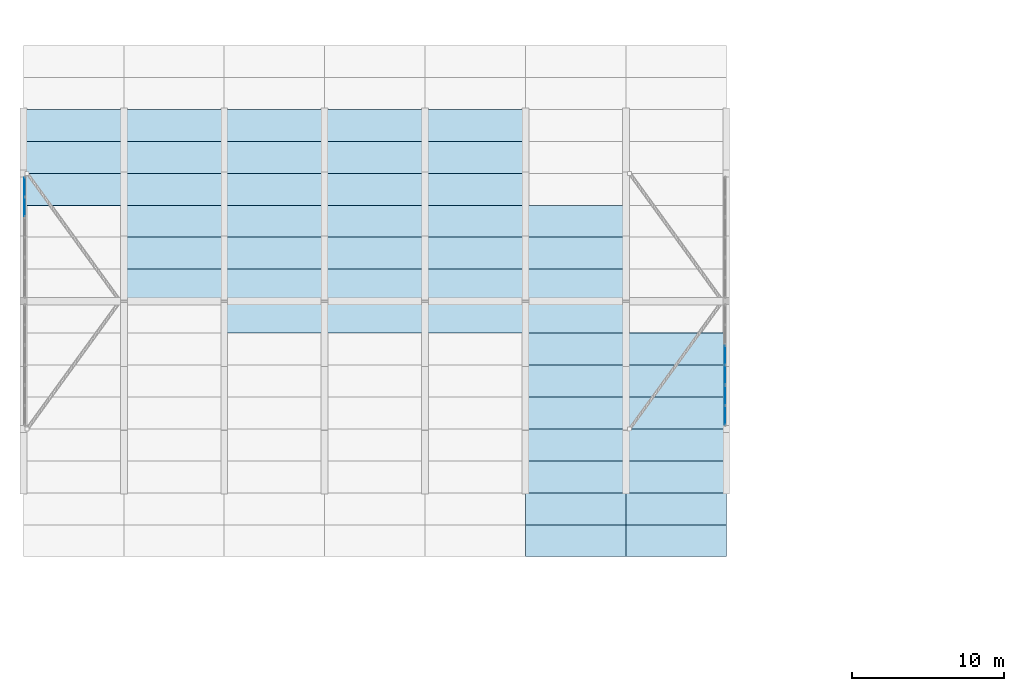
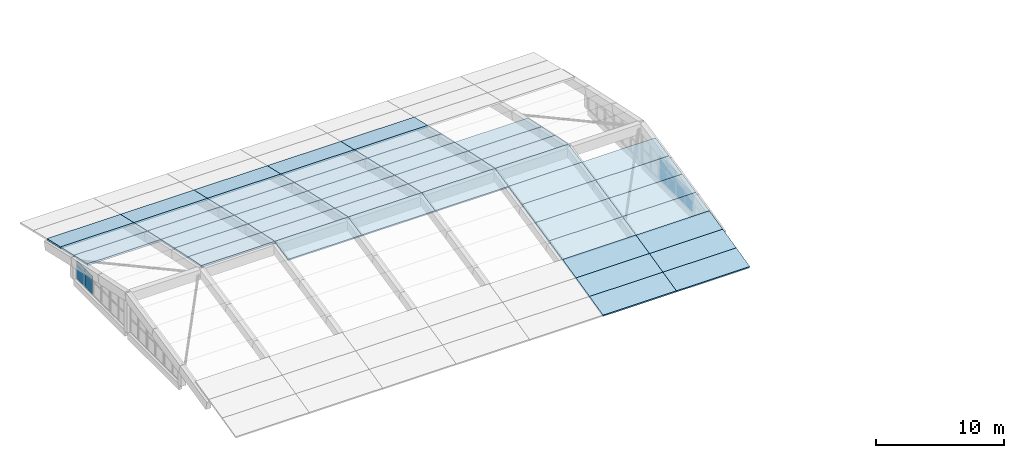
# One storey, part 26 of 47: 48 slabs, 12 plates, 3 elements without a shape of their own.
"""IFC4 building model written with IfcOpenShell, lengths in metres."""

from ifc_helpers import new_model, si_unit, direction, frame, origin, origin_2d, place, context, subcontext, project, spatial, polyline, rectangle, outline, extrude, material, layer, layer_set, type_object, element, aggregate, save


model = new_model("IFC4")

# Units and contexts
model_context = context("Model", 3, precision=1e-05, world=origin(), true_north=direction((0.0, 1.0)))
body_context = subcontext(model_context, "Body", "Model", "MODEL_VIEW")
ifc_project = project(units=[si_unit("LENGTHUNIT", "METRE"), si_unit("AREAUNIT", "SQUARE_METRE"), si_unit("VOLUMEUNIT", "CUBIC_METRE"), si_unit("PLANEANGLEUNIT", "RADIAN"), si_unit("MASSUNIT", "GRAM", prefix="KILO")], contexts=[model_context])

# Site, building, storey
site_placement = place(None, origin())
site = spatial("IfcSite", under=ifc_project, at=site_placement, CompositionType="ELEMENT")
building_placement = place(site_placement, origin())
building = spatial("IfcBuilding", under=site, at=building_placement, Name="Qaldarim Faculty of Natural and Applied Sciences", CompositionType="ELEMENT")
storey_placement = place(building_placement, frame((0.0, 0.0, 22.800048828125)))
storey = spatial("IfcBuildingStorey", under=building, at=storey_placement, Name="L05", CompositionType="ELEMENT", Elevation=22.800048828125)

# Curtain wall, plates
ifc_material_1 = material(Name="Anodised aluminium AW-6063", Category="aluminium")
curtain_wall_type = type_object("IfcCurtainWallType", Name="CurtainWallSystem-M1500", PredefinedType="USERDEFINED", material=ifc_material_1)
curtain_wall_1_placement = place(storey_placement, origin())
curtain_wall_1 = element("IfcCurtainWall", 1, at=curtain_wall_1_placement, inside=storey, type_object=curtain_wall_type, Name="Curtain wall CW-GABLE-L05-W-Y07-3", ObjectType="STICK CURTAIN WALL", PredefinedType="USERDEFINED")
ifc_material_2 = material(Name="Champagne anodised aluminium AW-6063", Category="aluminium")
ifc_layer_1 = layer(ifc_material_2, 0.0400390625)
ifc_layer_set_1 = layer_set([ifc_layer_1], Name="Champagne anodised aluminium AW-6063")
plate_type = type_object("IfcPlateType", Name="InsulatedSpandrelPanel-40", PredefinedType="CURTAIN_PANEL", material=ifc_layer_set_1)
plate_1_placement = place(storey_placement, frame((0.080078125, 57.896240234375, 0.06005859375), z_axis=(0.0, 0.0, 1.0), x_axis=(0.0, -1.0, 0.0)))
plate_1 = element("IfcPlate", 2, at=plate_1_placement, type_object=plate_type, Name="Glazed panel 1-1 of CW-GABLE-L05-W-Y07-3", PredefinedType="CURTAIN_PANEL", context=body_context, shape_type="SweptSolid", body=[
    extrude(rectangle(XDim=1.2275390625, YDim=0.0400390625, at=origin_2d()), origin(), (0.0, 0.0, 1.0), 1.260009765625),
])
plate_2_placement = place(storey_placement, frame((0.080078125, 57.896240234375, 1.3798828125), z_axis=(0.0, 0.0, 1.0), x_axis=(0.0, -1.0, 0.0)))
plate_2 = element("IfcPlate", 3, at=plate_2_placement, type_object=plate_type, Name="Glazed panel 1-2 of CW-GABLE-L05-W-Y07-3", PredefinedType="CURTAIN_PANEL", context=body_context, shape_type="SweptSolid", body=[
    extrude(rectangle(XDim=1.2275390625, YDim=0.0400390625, at=origin_2d()), origin(), (0.0, 0.0, 1.0), 0.389892578125),
])
plate_3_placement = place(storey_placement, frame((0.080078125, 56.60888671875, 0.06005859375), z_axis=(0.0, 0.0, 1.0), x_axis=(0.0, -1.0, 0.0)))
plate_3 = element("IfcPlate", 4, at=plate_3_placement, type_object=plate_type, Name="Glazed panel 2-1 of CW-GABLE-L05-W-Y07-3", PredefinedType="CURTAIN_PANEL", context=body_context, shape_type="SweptSolid", body=[
    extrude(rectangle(XDim=1.2275390625, YDim=0.0400390625, at=origin_2d()), origin(), (0.0, 0.0, 1.0), 1.260009765625),
])
plate_4_placement = place(storey_placement, frame((0.080078125, 56.60888671875, 1.3798828125), z_axis=(0.0, 0.0, 1.0), x_axis=(0.0, -1.0, 0.0)))
plate_4 = element("IfcPlate", 5, at=plate_4_placement, type_object=plate_type, Name="Glazed panel 2-2 of CW-GABLE-L05-W-Y07-3", PredefinedType="CURTAIN_PANEL", context=body_context, shape_type="SweptSolid", body=[
    extrude(rectangle(XDim=1.2275390625, YDim=0.0400390625, at=origin_2d()), origin(), (0.0, 0.0, 1.0), 0.389892578125),
])
aggregate(curtain_wall_1, [plate_1, plate_2, plate_3, plate_4])

curtain_wall_2_placement = place(storey_placement, origin())
curtain_wall_2 = element("IfcCurtainWall", 6, at=curtain_wall_2_placement, inside=storey, type_object=curtain_wall_type, Name="Curtain wall CW-GABLE-L05-E-Y06-1", ObjectType="STICK CURTAIN WALL", PredefinedType="USERDEFINED")
plate_5_placement = place(storey_placement, frame((46.1201171875, 42.90380859375, 0.06005859375), z_axis=(0.0, 0.0, 1.0), x_axis=(0.0, 1.0, 0.0)))
plate_5 = element("IfcPlate", 7, at=plate_5_placement, type_object=plate_type, Name="Glazed panel 1-1 of CW-GABLE-L05-E-Y06-1", PredefinedType="CURTAIN_PANEL", context=body_context, shape_type="SweptSolid", body=[
    extrude(rectangle(XDim=1.2275390625, YDim=0.0400390625, at=origin_2d()), origin(), (0.0, 0.0, 1.0), 1.260009765625),
])
plate_6_placement = place(storey_placement, frame((46.1201171875, 42.90380859375, 1.3798828125), z_axis=(0.0, 0.0, 1.0), x_axis=(0.0, 1.0, 0.0)))
plate_6 = element("IfcPlate", 8, at=plate_6_placement, type_object=plate_type, Name="Glazed panel 1-2 of CW-GABLE-L05-E-Y06-1", PredefinedType="CURTAIN_PANEL", context=body_context, shape_type="SweptSolid", body=[
    extrude(rectangle(XDim=1.2275390625, YDim=0.0400390625, at=origin_2d()), origin(), (0.0, 0.0, 1.0), 0.389892578125),
])
plate_7_placement = place(storey_placement, frame((46.1201171875, 44.19140625, 0.06005859375), z_axis=(0.0, 0.0, 1.0), x_axis=(0.0, 1.0, 0.0)))
plate_7 = element("IfcPlate", 9, at=plate_7_placement, type_object=plate_type, Name="Glazed panel 2-1 of CW-GABLE-L05-E-Y06-1", PredefinedType="CURTAIN_PANEL", context=body_context, shape_type="SweptSolid", body=[
    extrude(rectangle(XDim=1.2275390625, YDim=0.0400390625, at=origin_2d()), origin(), (0.0, 0.0, 1.0), 1.260009765625),
])
plate_8_placement = place(storey_placement, frame((46.1201171875, 44.19140625, 1.3798828125), z_axis=(0.0, 0.0, 1.0), x_axis=(0.0, 1.0, 0.0)))
plate_8 = element("IfcPlate", 10, at=plate_8_placement, type_object=plate_type, Name="Glazed panel 2-2 of CW-GABLE-L05-E-Y06-1", PredefinedType="CURTAIN_PANEL", context=body_context, shape_type="SweptSolid", body=[
    extrude(rectangle(XDim=1.2275390625, YDim=0.0400390625, at=origin_2d()), origin(), (0.0, 0.0, 1.0), 0.389892578125),
])
aggregate(curtain_wall_2, [plate_5, plate_6, plate_7, plate_8])

curtain_wall_3_placement = place(storey_placement, origin())
curtain_wall_3 = element("IfcCurtainWall", 11, at=curtain_wall_3_placement, inside=storey, type_object=curtain_wall_type, Name="Curtain wall CW-GABLE-L05-E-Y06-2", ObjectType="STICK CURTAIN WALL", PredefinedType="USERDEFINED")
plate_9_placement = place(storey_placement, frame((46.1201171875, 45.55859375, 0.06005859375), z_axis=(0.0, 0.0, 1.0), x_axis=(0.0, 1.0, 0.0)))
plate_9 = element("IfcPlate", 12, at=plate_9_placement, type_object=plate_type, Name="Glazed panel 1-1 of CW-GABLE-L05-E-Y06-2", PredefinedType="CURTAIN_PANEL", context=body_context, shape_type="SweptSolid", body=[
    extrude(rectangle(XDim=1.2275390625, YDim=0.0400390625, at=origin_2d()), origin(), (0.0, 0.0, 1.0), 1.260009765625),
])
plate_10_placement = place(storey_placement, frame((46.1201171875, 45.55859375, 1.3798828125), z_axis=(0.0, 0.0, 1.0), x_axis=(0.0, 1.0, 0.0)))
plate_10 = element("IfcPlate", 13, at=plate_10_placement, type_object=plate_type, Name="Glazed panel 1-2 of CW-GABLE-L05-E-Y06-2", PredefinedType="CURTAIN_PANEL", context=body_context, shape_type="SweptSolid", body=[
    extrude(rectangle(XDim=1.2275390625, YDim=0.0400390625, at=origin_2d()), origin(), (0.0, 0.0, 1.0), 0.9599609375),
])
plate_11_placement = place(storey_placement, frame((46.1201171875, 46.84619140625, 0.06005859375), z_axis=(0.0, 0.0, 1.0), x_axis=(0.0, 1.0, 0.0)))
plate_11 = element("IfcPlate", 14, at=plate_11_placement, type_object=plate_type, Name="Glazed panel 2-1 of CW-GABLE-L05-E-Y06-2", PredefinedType="CURTAIN_PANEL", context=body_context, shape_type="SweptSolid", body=[
    extrude(rectangle(XDim=1.2275390625, YDim=0.0400390625, at=origin_2d()), origin(), (0.0, 0.0, 1.0), 1.260009765625),
])
plate_12_placement = place(storey_placement, frame((46.1201171875, 46.84619140625, 1.3798828125), z_axis=(0.0, 0.0, 1.0), x_axis=(0.0, 1.0, 0.0)))
plate_12 = element("IfcPlate", 15, at=plate_12_placement, type_object=plate_type, Name="Glazed panel 2-2 of CW-GABLE-L05-E-Y06-2", PredefinedType="CURTAIN_PANEL", context=body_context, shape_type="SweptSolid", body=[
    extrude(rectangle(XDim=1.2275390625, YDim=0.0400390625, at=origin_2d()), origin(), (0.0, 0.0, 1.0), 0.9599609375),
])
aggregate(curtain_wall_3, [plate_9, plate_10, plate_11, plate_12])

# Slabs
ifc_material_3 = material(Name="Concrete C40/50", Category="concrete")
ifc_layer_2 = layer(ifc_material_3, 0.159912109375)
ifc_layer_set_2 = layer_set([ifc_layer_2], Name="Concrete C40/50")
slab_type = type_object("IfcSlabType", Name="PointedArchShellStrip-160", PredefinedType="ROOF", material=ifc_layer_set_2)
slab_1_placement = place(storey_placement, frame((0.0, 56.665283203125, 2.40869140625), z_axis=(0.0, 0.216221346803, 0.976344370182), x_axis=(1.0, 0.0, 0.0)))
element("IfcSlab", 16, at=slab_1_placement, inside=storey, type_object=slab_type, Name="Pointed-arch shell strip B01-N04", PredefinedType="ROOF", context=body_context, shape_type="SweptSolid", body=[
    extrude(outline(polyline([(0.0, 0.0), (6.60009765625, 0.0), (6.60009765625, 2.1509804536054613), (0.0, 2.1509804536054613), (0.0, 0.0)])), origin(), (0.0, 0.0, 1.0), 0.159912109375),
])
slab_2_placement = place(storey_placement, frame((0.0, 58.7646484375, 1.94384765625), z_axis=(0.0, 0.220567158628, 0.975371789901), x_axis=(1.0, 0.0, 0.0)))
element("IfcSlab", 17, at=slab_2_placement, inside=storey, type_object=slab_type, Name="Pointed-arch shell strip B01-N05", PredefinedType="ROOF", context=body_context, shape_type="SweptSolid", body=[
    extrude(outline(polyline([(0.0, 0.0), (6.60009765625, 0.0), (6.60009765625, 2.152874972771084), (0.0, 2.152874972771084), (0.0, 0.0)])), origin(), (0.0, 0.0, 1.0), 0.159912109375),
])
slab_3_placement = place(storey_placement, frame((0.0, 60.864013671875, 1.468994140625), z_axis=(0.0, 0.225066313755, 0.974343447873), x_axis=(1.0, 0.0, 0.0)))
element("IfcSlab", 18, at=slab_3_placement, inside=storey, type_object=slab_type, Name="Pointed-arch shell strip B01-N06", PredefinedType="ROOF", context=body_context, shape_type="SweptSolid", body=[
    extrude(outline(polyline([(0.0, 0.0), (6.60009765625, 0.0), (6.60009765625, 2.155397730476896), (0.0, 2.155397730476896), (0.0, 0.0)])), origin(), (0.0, 0.0, 1.0), 0.159912109375),
])
slab_4_placement = place(storey_placement, frame((6.60009765625, 50.367431640625, 3.7431640625), z_axis=(0.0, 0.202854035669, 0.979208986995), x_axis=(1.0, 0.0, 0.0)))
element("IfcSlab", 19, at=slab_4_placement, inside=storey, type_object=slab_type, Name="Pointed-arch shell strip B02-N01", PredefinedType="ROOF", context=body_context, shape_type="SweptSolid", body=[
    extrude(outline(polyline([(0.0, 0.0), (6.599853515625, 0.0), (6.599853515625, 2.144687890062904), (0.0, 2.144687890062904), (0.0, 0.0)])), origin(), (0.0, 0.0, 1.0), 0.159912109375),
])
slab_5_placement = place(storey_placement, frame((6.60009765625, 52.466796875, 3.308349609375), z_axis=(0.0, 0.207213980764, 0.978295643543), x_axis=(1.0, 0.0, 0.0)))
element("IfcSlab", 20, at=slab_5_placement, inside=storey, type_object=slab_type, Name="Pointed-arch shell strip B02-N02", PredefinedType="ROOF", context=body_context, shape_type="SweptSolid", body=[
    extrude(outline(polyline([(0.0, 0.0), (6.599853515625, 0.0), (6.599853515625, 2.1466901852324414), (0.0, 2.1466901852324414), (0.0, 0.0)])), origin(), (0.0, 0.0, 1.0), 0.159912109375),
])
slab_6_placement = place(storey_placement, frame((6.60009765625, 54.566162109375, 2.86376953125), z_axis=(0.0, 0.211802186489, 0.977312556861), x_axis=(1.0, 0.0, 0.0)))
element("IfcSlab", 21, at=slab_6_placement, inside=storey, type_object=slab_type, Name="Pointed-arch shell strip B02-N03", PredefinedType="ROOF", context=body_context, shape_type="SweptSolid", body=[
    extrude(outline(polyline([(0.0, 0.0), (6.599853515625, 0.0), (6.599853515625, 2.1485997502876586), (0.0, 2.1485997502876586), (0.0, 0.0)])), origin(), (0.0, 0.0, 1.0), 0.159912109375),
])
slab_7_placement = place(storey_placement, frame((6.60009765625, 56.665283203125, 2.40869140625), z_axis=(0.0, 0.216221346803, 0.976344370182), x_axis=(1.0, 0.0, 0.0)))
element("IfcSlab", 22, at=slab_7_placement, inside=storey, type_object=slab_type, Name="Pointed-arch shell strip B02-N04", PredefinedType="ROOF", context=body_context, shape_type="SweptSolid", body=[
    extrude(outline(polyline([(0.0, 0.0), (6.599853515625, 0.0), (6.599853515625, 2.1509804536054613), (0.0, 2.1509804536054613), (0.0, 0.0)])), origin(), (0.0, 0.0, 1.0), 0.159912109375),
])
slab_8_placement = place(storey_placement, frame((6.60009765625, 58.7646484375, 1.94384765625), z_axis=(0.0, 0.220567158628, 0.975371789901), x_axis=(1.0, 0.0, 0.0)))
element("IfcSlab", 23, at=slab_8_placement, inside=storey, type_object=slab_type, Name="Pointed-arch shell strip B02-N05", PredefinedType="ROOF", context=body_context, shape_type="SweptSolid", body=[
    extrude(outline(polyline([(0.0, 0.0), (6.599853515625, 0.0), (6.599853515625, 2.152874972771084), (0.0, 2.152874972771084), (0.0, 0.0)])), origin(), (0.0, 0.0, 1.0), 0.159912109375),
])
slab_9_placement = place(storey_placement, frame((6.60009765625, 60.864013671875, 1.468994140625), z_axis=(0.0, 0.225066313755, 0.974343447873), x_axis=(1.0, 0.0, 0.0)))
element("IfcSlab", 24, at=slab_9_placement, inside=storey, type_object=slab_type, Name="Pointed-arch shell strip B02-N06", PredefinedType="ROOF", context=body_context, shape_type="SweptSolid", body=[
    extrude(outline(polyline([(0.0, 0.0), (6.599853515625, 0.0), (6.599853515625, 2.155397730476896), (0.0, 2.155397730476896), (0.0, 0.0)])), origin(), (0.0, 0.0, 1.0), 0.159912109375),
])
slab_10_placement = place(storey_placement, frame((13.199951171875, 48.33251953125, 3.30810546875), z_axis=(0.0, -0.202876649929, 0.979204301928), x_axis=(1.0, 0.0, 0.0)))
element("IfcSlab", 25, at=slab_10_placement, inside=storey, type_object=slab_type, Name="Pointed-arch shell strip B03-S01", PredefinedType="ROOF", context=body_context, shape_type="SweptSolid", body=[
    extrude(outline(polyline([(0.0, 0.0), (6.60009765625, 0.0), (6.60009765625, 2.144448825940689), (0.0, 2.144448825940689), (0.0, 0.0)])), origin(), (0.0, 0.0, 1.0), 0.159912109375),
])
slab_11_placement = place(storey_placement, frame((13.199951171875, 50.367431640625, 3.7431640625), z_axis=(0.0, 0.202854035669, 0.979208986995), x_axis=(1.0, 0.0, 0.0)))
element("IfcSlab", 26, at=slab_11_placement, inside=storey, type_object=slab_type, Name="Pointed-arch shell strip B03-N01", PredefinedType="ROOF", context=body_context, shape_type="SweptSolid", body=[
    extrude(outline(polyline([(0.0, 0.0), (6.60009765625, 0.0), (6.60009765625, 2.144687890062904), (0.0, 2.144687890062904), (0.0, 0.0)])), origin(), (0.0, 0.0, 1.0), 0.159912109375),
])
slab_12_placement = place(storey_placement, frame((13.199951171875, 52.466796875, 3.308349609375), z_axis=(0.0, 0.207213980764, 0.978295643543), x_axis=(1.0, 0.0, 0.0)))
element("IfcSlab", 27, at=slab_12_placement, inside=storey, type_object=slab_type, Name="Pointed-arch shell strip B03-N02", PredefinedType="ROOF", context=body_context, shape_type="SweptSolid", body=[
    extrude(outline(polyline([(0.0, 0.0), (6.60009765625, 0.0), (6.60009765625, 2.146690185232441), (0.0, 2.146690185232441), (0.0, 0.0)])), origin(), (0.0, 0.0, 1.0), 0.159912109375),
])
slab_13_placement = place(storey_placement, frame((13.199951171875, 54.566162109375, 2.86376953125), z_axis=(0.0, 0.211802186489, 0.977312556861), x_axis=(1.0, 0.0, 0.0)))
element("IfcSlab", 28, at=slab_13_placement, inside=storey, type_object=slab_type, Name="Pointed-arch shell strip B03-N03", PredefinedType="ROOF", context=body_context, shape_type="SweptSolid", body=[
    extrude(outline(polyline([(0.0, 0.0), (6.60009765625, 0.0), (6.60009765625, 2.148599750287658), (0.0, 2.148599750287658), (0.0, 0.0)])), origin(), (0.0, 0.0, 1.0), 0.159912109375),
])
slab_14_placement = place(storey_placement, frame((13.199951171875, 56.665283203125, 2.40869140625), z_axis=(0.0, 0.216221346803, 0.976344370182), x_axis=(1.0, 0.0, 0.0)))
element("IfcSlab", 29, at=slab_14_placement, inside=storey, type_object=slab_type, Name="Pointed-arch shell strip B03-N04", PredefinedType="ROOF", context=body_context, shape_type="SweptSolid", body=[
    extrude(outline(polyline([(0.0, 0.0), (6.60009765625, 0.0), (6.60009765625, 2.1509804536054613), (0.0, 2.1509804536054613), (0.0, 0.0)])), origin(), (0.0, 0.0, 1.0), 0.159912109375),
])
slab_15_placement = place(storey_placement, frame((13.199951171875, 58.7646484375, 1.94384765625), z_axis=(0.0, 0.220567158628, 0.975371789901), x_axis=(1.0, 0.0, 0.0)))
element("IfcSlab", 30, at=slab_15_placement, inside=storey, type_object=slab_type, Name="Pointed-arch shell strip B03-N05", PredefinedType="ROOF", context=body_context, shape_type="SweptSolid", body=[
    extrude(outline(polyline([(0.0, 0.0), (6.60009765625, 0.0), (6.60009765625, 2.152874972771084), (0.0, 2.152874972771084), (0.0, 0.0)])), origin(), (0.0, 0.0, 1.0), 0.159912109375),
])
slab_16_placement = place(storey_placement, frame((13.199951171875, 60.864013671875, 1.468994140625), z_axis=(0.0, 0.225066313755, 0.974343447873), x_axis=(1.0, 0.0, 0.0)))
element("IfcSlab", 31, at=slab_16_placement, inside=storey, type_object=slab_type, Name="Pointed-arch shell strip B03-N06", PredefinedType="ROOF", context=body_context, shape_type="SweptSolid", body=[
    extrude(outline(polyline([(0.0, 0.0), (6.60009765625, 0.0), (6.60009765625, 2.155397730476896), (0.0, 2.155397730476896), (0.0, 0.0)])), origin(), (0.0, 0.0, 1.0), 0.159912109375),
])
slab_17_placement = place(storey_placement, frame((19.800048828125, 48.33251953125, 3.30810546875), z_axis=(0.0, -0.202876649929, 0.979204301928), x_axis=(1.0, 0.0, 0.0)))
element("IfcSlab", 32, at=slab_17_placement, inside=storey, type_object=slab_type, Name="Pointed-arch shell strip B04-S01", PredefinedType="ROOF", context=body_context, shape_type="SweptSolid", body=[
    extrude(outline(polyline([(0.0, 0.0), (6.599853515625, 0.0), (6.599853515625, 2.1444488259406893), (0.0, 2.1444488259406893), (0.0, 0.0)])), origin(), (0.0, 0.0, 1.0), 0.159912109375),
])
slab_18_placement = place(storey_placement, frame((19.800048828125, 50.367431640625, 3.7431640625), z_axis=(0.0, 0.202854035669, 0.979208986995), x_axis=(1.0, 0.0, 0.0)))
element("IfcSlab", 33, at=slab_18_placement, inside=storey, type_object=slab_type, Name="Pointed-arch shell strip B04-N01", PredefinedType="ROOF", context=body_context, shape_type="SweptSolid", body=[
    extrude(outline(polyline([(0.0, 0.0), (6.599853515625, 0.0), (6.599853515625, 2.144687890062904), (0.0, 2.144687890062904), (0.0, 0.0)])), origin(), (0.0, 0.0, 1.0), 0.159912109375),
])
slab_19_placement = place(storey_placement, frame((19.800048828125, 52.466796875, 3.308349609375), z_axis=(0.0, 0.207213980764, 0.978295643543), x_axis=(1.0, 0.0, 0.0)))
element("IfcSlab", 34, at=slab_19_placement, inside=storey, type_object=slab_type, Name="Pointed-arch shell strip B04-N02", PredefinedType="ROOF", context=body_context, shape_type="SweptSolid", body=[
    extrude(outline(polyline([(0.0, 0.0), (6.599853515625, 0.0), (6.599853515625, 2.1466901852324414), (0.0, 2.1466901852324414), (0.0, 0.0)])), origin(), (0.0, 0.0, 1.0), 0.159912109375),
])
slab_20_placement = place(storey_placement, frame((19.800048828125, 54.566162109375, 2.86376953125), z_axis=(0.0, 0.211802186489, 0.977312556861), x_axis=(1.0, 0.0, 0.0)))
element("IfcSlab", 35, at=slab_20_placement, inside=storey, type_object=slab_type, Name="Pointed-arch shell strip B04-N03", PredefinedType="ROOF", context=body_context, shape_type="SweptSolid", body=[
    extrude(outline(polyline([(0.0, 0.0), (6.599853515625, 0.0), (6.599853515625, 2.1485997502876586), (0.0, 2.1485997502876586), (0.0, 0.0)])), origin(), (0.0, 0.0, 1.0), 0.159912109375),
])
slab_21_placement = place(storey_placement, frame((19.800048828125, 56.665283203125, 2.40869140625), z_axis=(0.0, 0.216221346803, 0.976344370182), x_axis=(1.0, 0.0, 0.0)))
element("IfcSlab", 36, at=slab_21_placement, inside=storey, type_object=slab_type, Name="Pointed-arch shell strip B04-N04", PredefinedType="ROOF", context=body_context, shape_type="SweptSolid", body=[
    extrude(outline(polyline([(0.0, 0.0), (6.599853515625, 0.0), (6.599853515625, 2.1509804536054613), (0.0, 2.1509804536054613), (0.0, 0.0)])), origin(), (0.0, 0.0, 1.0), 0.159912109375),
])
slab_22_placement = place(storey_placement, frame((19.800048828125, 58.7646484375, 1.94384765625), z_axis=(0.0, 0.220567158628, 0.975371789901), x_axis=(1.0, 0.0, 0.0)))
element("IfcSlab", 37, at=slab_22_placement, inside=storey, type_object=slab_type, Name="Pointed-arch shell strip B04-N05", PredefinedType="ROOF", context=body_context, shape_type="SweptSolid", body=[
    extrude(outline(polyline([(0.0, 0.0), (6.599853515625, 0.0), (6.599853515625, 2.152874972771084), (0.0, 2.152874972771084), (0.0, 0.0)])), origin(), (0.0, 0.0, 1.0), 0.159912109375),
])
slab_23_placement = place(storey_placement, frame((19.800048828125, 60.864013671875, 1.468994140625), z_axis=(0.0, 0.225066313755, 0.974343447873), x_axis=(1.0, 0.0, 0.0)))
element("IfcSlab", 38, at=slab_23_placement, inside=storey, type_object=slab_type, Name="Pointed-arch shell strip B04-N06", PredefinedType="ROOF", context=body_context, shape_type="SweptSolid", body=[
    extrude(outline(polyline([(0.0, 0.0), (6.599853515625, 0.0), (6.599853515625, 2.155397730476896), (0.0, 2.155397730476896), (0.0, 0.0)])), origin(), (0.0, 0.0, 1.0), 0.159912109375),
])
slab_24_placement = place(storey_placement, frame((26.39990234375, 48.33251953125, 3.30810546875), z_axis=(0.0, -0.202876649929, 0.979204301928), x_axis=(1.0, 0.0, 0.0)))
element("IfcSlab", 39, at=slab_24_placement, inside=storey, type_object=slab_type, Name="Pointed-arch shell strip B05-S01", PredefinedType="ROOF", context=body_context, shape_type="SweptSolid", body=[
    extrude(outline(polyline([(0.0, 0.0), (6.60009765625, 0.0), (6.60009765625, 2.144448825940689), (0.0, 2.144448825940689), (0.0, 0.0)])), origin(), (0.0, 0.0, 1.0), 0.159912109375),
])
slab_25_placement = place(storey_placement, frame((26.39990234375, 50.367431640625, 3.7431640625), z_axis=(0.0, 0.202854035669, 0.979208986995), x_axis=(1.0, 0.0, 0.0)))
element("IfcSlab", 40, at=slab_25_placement, inside=storey, type_object=slab_type, Name="Pointed-arch shell strip B05-N01", PredefinedType="ROOF", context=body_context, shape_type="SweptSolid", body=[
    extrude(outline(polyline([(0.0, 0.0), (6.60009765625, 0.0), (6.60009765625, 2.144687890062904), (0.0, 2.144687890062904), (0.0, 0.0)])), origin(), (0.0, 0.0, 1.0), 0.159912109375),
])
slab_26_placement = place(storey_placement, frame((26.39990234375, 52.466796875, 3.308349609375), z_axis=(0.0, 0.207213980764, 0.978295643543), x_axis=(1.0, 0.0, 0.0)))
element("IfcSlab", 41, at=slab_26_placement, inside=storey, type_object=slab_type, Name="Pointed-arch shell strip B05-N02", PredefinedType="ROOF", context=body_context, shape_type="SweptSolid", body=[
    extrude(outline(polyline([(0.0, 0.0), (6.60009765625, 0.0), (6.60009765625, 2.146690185232441), (0.0, 2.146690185232441), (0.0, 0.0)])), origin(), (0.0, 0.0, 1.0), 0.159912109375),
])
slab_27_placement = place(storey_placement, frame((26.39990234375, 54.566162109375, 2.86376953125), z_axis=(0.0, 0.211802186489, 0.977312556861), x_axis=(1.0, 0.0, 0.0)))
element("IfcSlab", 42, at=slab_27_placement, inside=storey, type_object=slab_type, Name="Pointed-arch shell strip B05-N03", PredefinedType="ROOF", context=body_context, shape_type="SweptSolid", body=[
    extrude(outline(polyline([(0.0, 0.0), (6.60009765625, 0.0), (6.60009765625, 2.148599750287658), (0.0, 2.148599750287658), (0.0, 0.0)])), origin(), (0.0, 0.0, 1.0), 0.159912109375),
])
slab_28_placement = place(storey_placement, frame((26.39990234375, 56.665283203125, 2.40869140625), z_axis=(0.0, 0.216221346803, 0.976344370182), x_axis=(1.0, 0.0, 0.0)))
element("IfcSlab", 43, at=slab_28_placement, inside=storey, type_object=slab_type, Name="Pointed-arch shell strip B05-N04", PredefinedType="ROOF", context=body_context, shape_type="SweptSolid", body=[
    extrude(outline(polyline([(0.0, 0.0), (6.60009765625, 0.0), (6.60009765625, 2.1509804536054613), (0.0, 2.1509804536054613), (0.0, 0.0)])), origin(), (0.0, 0.0, 1.0), 0.159912109375),
])
slab_29_placement = place(storey_placement, frame((26.39990234375, 58.7646484375, 1.94384765625), z_axis=(0.0, 0.220567158628, 0.975371789901), x_axis=(1.0, 0.0, 0.0)))
element("IfcSlab", 44, at=slab_29_placement, inside=storey, type_object=slab_type, Name="Pointed-arch shell strip B05-N05", PredefinedType="ROOF", context=body_context, shape_type="SweptSolid", body=[
    extrude(outline(polyline([(0.0, 0.0), (6.60009765625, 0.0), (6.60009765625, 2.152874972771084), (0.0, 2.152874972771084), (0.0, 0.0)])), origin(), (0.0, 0.0, 1.0), 0.159912109375),
])
slab_30_placement = place(storey_placement, frame((26.39990234375, 60.864013671875, 1.468994140625), z_axis=(0.0, 0.225066313755, 0.974343447873), x_axis=(1.0, 0.0, 0.0)))
element("IfcSlab", 45, at=slab_30_placement, inside=storey, type_object=slab_type, Name="Pointed-arch shell strip B05-N06", PredefinedType="ROOF", context=body_context, shape_type="SweptSolid", body=[
    extrude(outline(polyline([(0.0, 0.0), (6.60009765625, 0.0), (6.60009765625, 2.155397730476896), (0.0, 2.155397730476896), (0.0, 0.0)])), origin(), (0.0, 0.0, 1.0), 0.159912109375),
])
slab_31_placement = place(storey_placement, frame((33.0, 48.33251953125, 3.30810546875), z_axis=(0.0, -0.202876649929, 0.979204301928), x_axis=(1.0, 0.0, 0.0)))
element("IfcSlab", 46, at=slab_31_placement, inside=storey, type_object=slab_type, Name="Pointed-arch shell strip B06-S01", PredefinedType="ROOF", context=body_context, shape_type="SweptSolid", body=[
    extrude(outline(polyline([(0.0, 0.0), (6.60009765625, 0.0), (6.60009765625, 2.144448825940689), (0.0, 2.144448825940689), (0.0, 0.0)])), origin(), (0.0, 0.0, 1.0), 0.159912109375),
])
slab_32_placement = place(storey_placement, frame((33.0, 46.233154296875, 2.863525390625), z_axis=(0.0, -0.207213980764, 0.978295643543), x_axis=(1.0, 0.0, 0.0)))
element("IfcSlab", 47, at=slab_32_placement, inside=storey, type_object=slab_type, Name="Pointed-arch shell strip B06-S02", PredefinedType="ROOF", context=body_context, shape_type="SweptSolid", body=[
    extrude(outline(polyline([(0.0, 0.0), (6.60009765625, 0.0), (6.60009765625, 2.146690185232441), (0.0, 2.146690185232441), (0.0, 0.0)])), origin(), (0.0, 0.0, 1.0), 0.159912109375),
])
slab_33_placement = place(storey_placement, frame((33.0, 44.134033203125, 2.40869140625), z_axis=(0.0, -0.211802186489, 0.977312556861), x_axis=(1.0, 0.0, 0.0)))
element("IfcSlab", 48, at=slab_33_placement, inside=storey, type_object=slab_type, Name="Pointed-arch shell strip B06-S03", PredefinedType="ROOF", context=body_context, shape_type="SweptSolid", body=[
    extrude(outline(polyline([(0.0, 0.0), (6.60009765625, 0.0), (6.60009765625, 2.148599750287658), (0.0, 2.148599750287658), (0.0, 0.0)])), origin(), (0.0, 0.0, 1.0), 0.159912109375),
])
slab_34_placement = place(storey_placement, frame((33.0, 42.03466796875, 1.943603515625), z_axis=(0.0, -0.216221346803, 0.976344370182), x_axis=(1.0, 0.0, 0.0)))
element("IfcSlab", 49, at=slab_34_placement, inside=storey, type_object=slab_type, Name="Pointed-arch shell strip B06-S04", PredefinedType="ROOF", context=body_context, shape_type="SweptSolid", body=[
    extrude(outline(polyline([(0.0, 0.0), (6.60009765625, 0.0), (6.60009765625, 2.1509804536054613), (0.0, 2.1509804536054613), (0.0, 0.0)])), origin(), (0.0, 0.0, 1.0), 0.159912109375),
])
slab_35_placement = place(storey_placement, frame((33.0, 39.935302734375, 1.468994140625), z_axis=(0.0, -0.22054276449, 0.975377305985), x_axis=(1.0, 0.0, 0.0)))
element("IfcSlab", 50, at=slab_35_placement, inside=storey, type_object=slab_type, Name="Pointed-arch shell strip B06-S05", PredefinedType="ROOF", context=body_context, shape_type="SweptSolid", body=[
    extrude(outline(polyline([(0.0, 0.0), (6.60009765625, 0.0), (6.60009765625, 2.153113101322865), (0.0, 2.153113101322865), (0.0, 0.0)])), origin(), (0.0, 0.0, 1.0), 0.159912109375),
])
slab_36_placement = place(storey_placement, frame((33.0, 37.836181640625, 0.98388671875), z_axis=(0.0, -0.225091155486, 0.974337709278), x_axis=(1.0, 0.0, 0.0)))
element("IfcSlab", 51, at=slab_36_placement, inside=storey, type_object=slab_type, Name="Pointed-arch shell strip B06-S06", PredefinedType="ROOF", context=body_context, shape_type="SweptSolid", body=[
    extrude(outline(polyline([(0.0, 0.0), (6.60009765625, 0.0), (6.60009765625, 2.1551598543590407), (0.0, 2.1551598543590407), (0.0, 0.0)])), origin(), (0.0, 0.0, 1.0), 0.159912109375),
])
slab_37_placement = place(storey_placement, frame((33.0, 35.736572265625, 0.4892578125), z_axis=(0.0, -0.229360972314, 0.973341432581), x_axis=(1.0, 0.0, 0.0)))
element("IfcSlab", 52, at=slab_37_placement, inside=storey, type_object=slab_type, Name="Pointed-arch shell strip B06-S07", PredefinedType="ROOF", context=body_context, shape_type="SweptSolid", body=[
    extrude(outline(polyline([(0.0, 0.0), (6.60009765625, 0.0), (6.60009765625, 2.1576166244979875), (0.0, 2.1576166244979875), (0.0, 0.0)])), origin(), (0.0, 0.0, 1.0), 0.159912109375),
])
slab_38_placement = place(storey_placement, frame((33.0, 33.637451171875, -0.015625), z_axis=(0.0, -0.233881690237, 0.972265064153), x_axis=(1.0, 0.0, 0.0)))
element("IfcSlab", 53, at=slab_38_placement, inside=storey, type_object=slab_type, Name="Pointed-arch shell strip B06-S08", PredefinedType="ROOF", context=body_context, shape_type="SweptSolid", body=[
    extrude(outline(polyline([(0.0, 0.0), (6.60009765625, 0.0), (6.60009765625, 2.159754158661587), (0.0, 2.159754158661587), (0.0, 0.0)])), origin(), (0.0, 0.0, 1.0), 0.159912109375),
])
slab_39_placement = place(storey_placement, frame((33.0, 50.367431640625, 3.7431640625), z_axis=(0.0, 0.202854035669, 0.979208986995), x_axis=(1.0, 0.0, 0.0)))
element("IfcSlab", 54, at=slab_39_placement, inside=storey, type_object=slab_type, Name="Pointed-arch shell strip B06-N01", PredefinedType="ROOF", context=body_context, shape_type="SweptSolid", body=[
    extrude(outline(polyline([(0.0, 0.0), (6.60009765625, 0.0), (6.60009765625, 2.144687890062904), (0.0, 2.144687890062904), (0.0, 0.0)])), origin(), (0.0, 0.0, 1.0), 0.159912109375),
])
slab_40_placement = place(storey_placement, frame((33.0, 52.466796875, 3.308349609375), z_axis=(0.0, 0.207213980764, 0.978295643543), x_axis=(1.0, 0.0, 0.0)))
element("IfcSlab", 55, at=slab_40_placement, inside=storey, type_object=slab_type, Name="Pointed-arch shell strip B06-N02", PredefinedType="ROOF", context=body_context, shape_type="SweptSolid", body=[
    extrude(outline(polyline([(0.0, 0.0), (6.60009765625, 0.0), (6.60009765625, 2.146690185232441), (0.0, 2.146690185232441), (0.0, 0.0)])), origin(), (0.0, 0.0, 1.0), 0.159912109375),
])
slab_41_placement = place(storey_placement, frame((33.0, 54.566162109375, 2.86376953125), z_axis=(0.0, 0.211802186489, 0.977312556861), x_axis=(1.0, 0.0, 0.0)))
element("IfcSlab", 56, at=slab_41_placement, inside=storey, type_object=slab_type, Name="Pointed-arch shell strip B06-N03", PredefinedType="ROOF", context=body_context, shape_type="SweptSolid", body=[
    extrude(outline(polyline([(0.0, 0.0), (6.60009765625, 0.0), (6.60009765625, 2.148599750287658), (0.0, 2.148599750287658), (0.0, 0.0)])), origin(), (0.0, 0.0, 1.0), 0.159912109375),
])
slab_42_placement = place(storey_placement, frame((39.60009765625, 46.233154296875, 2.863525390625), z_axis=(0.0, -0.207213980764, 0.978295643543), x_axis=(1.0, 0.0, 0.0)))
element("IfcSlab", 57, at=slab_42_placement, inside=storey, type_object=slab_type, Name="Pointed-arch shell strip B07-S02", PredefinedType="ROOF", context=body_context, shape_type="SweptSolid", body=[
    extrude(outline(polyline([(0.0, 0.0), (6.599853515625, 0.0), (6.599853515625, 2.1466901852324414), (0.0, 2.1466901852324414), (0.0, 0.0)])), origin(), (0.0, 0.0, 1.0), 0.159912109375),
])
slab_43_placement = place(storey_placement, frame((39.60009765625, 44.134033203125, 2.40869140625), z_axis=(0.0, -0.211802186489, 0.977312556861), x_axis=(1.0, 0.0, 0.0)))
element("IfcSlab", 58, at=slab_43_placement, inside=storey, type_object=slab_type, Name="Pointed-arch shell strip B07-S03", PredefinedType="ROOF", context=body_context, shape_type="SweptSolid", body=[
    extrude(outline(polyline([(0.0, 0.0), (6.599853515625, 0.0), (6.599853515625, 2.1485997502876586), (0.0, 2.1485997502876586), (0.0, 0.0)])), origin(), (0.0, 0.0, 1.0), 0.159912109375),
])
slab_44_placement = place(storey_placement, frame((39.60009765625, 42.03466796875, 1.943603515625), z_axis=(0.0, -0.216221346803, 0.976344370182), x_axis=(1.0, 0.0, 0.0)))
element("IfcSlab", 59, at=slab_44_placement, inside=storey, type_object=slab_type, Name="Pointed-arch shell strip B07-S04", PredefinedType="ROOF", context=body_context, shape_type="SweptSolid", body=[
    extrude(outline(polyline([(0.0, 0.0), (6.599853515625, 0.0), (6.599853515625, 2.1509804536054613), (0.0, 2.1509804536054613), (0.0, 0.0)])), origin(), (0.0, 0.0, 1.0), 0.159912109375),
])
slab_45_placement = place(storey_placement, frame((39.60009765625, 39.935302734375, 1.468994140625), z_axis=(0.0, -0.22054276449, 0.975377305985), x_axis=(1.0, 0.0, 0.0)))
element("IfcSlab", 60, at=slab_45_placement, inside=storey, type_object=slab_type, Name="Pointed-arch shell strip B07-S05", PredefinedType="ROOF", context=body_context, shape_type="SweptSolid", body=[
    extrude(outline(polyline([(0.0, 0.0), (6.599853515625, 0.0), (6.599853515625, 2.153113101322865), (0.0, 2.153113101322865), (0.0, 0.0)])), origin(), (0.0, 0.0, 1.0), 0.159912109375),
])
slab_46_placement = place(storey_placement, frame((39.60009765625, 37.836181640625, 0.98388671875), z_axis=(0.0, -0.225091155486, 0.974337709278), x_axis=(1.0, 0.0, 0.0)))
element("IfcSlab", 61, at=slab_46_placement, inside=storey, type_object=slab_type, Name="Pointed-arch shell strip B07-S06", PredefinedType="ROOF", context=body_context, shape_type="SweptSolid", body=[
    extrude(outline(polyline([(0.0, 0.0), (6.599853515625, 0.0), (6.599853515625, 2.1551598543590407), (0.0, 2.1551598543590407), (0.0, 0.0)])), origin(), (0.0, 0.0, 1.0), 0.159912109375),
])
slab_47_placement = place(storey_placement, frame((39.60009765625, 35.736572265625, 0.4892578125), z_axis=(0.0, -0.229360972314, 0.973341432581), x_axis=(1.0, 0.0, 0.0)))
element("IfcSlab", 62, at=slab_47_placement, inside=storey, type_object=slab_type, Name="Pointed-arch shell strip B07-S07", PredefinedType="ROOF", context=body_context, shape_type="SweptSolid", body=[
    extrude(outline(polyline([(0.0, 0.0), (6.599853515625, 0.0), (6.599853515625, 2.1576166244979875), (0.0, 2.1576166244979875), (0.0, 0.0)])), origin(), (0.0, 0.0, 1.0), 0.159912109375),
])
slab_48_placement = place(storey_placement, frame((39.60009765625, 33.637451171875, -0.015625), z_axis=(0.0, -0.233881690237, 0.972265064153), x_axis=(1.0, 0.0, 0.0)))
element("IfcSlab", 63, at=slab_48_placement, inside=storey, type_object=slab_type, Name="Pointed-arch shell strip B07-S08", PredefinedType="ROOF", context=body_context, shape_type="SweptSolid", body=[
    extrude(outline(polyline([(0.0, 0.0), (6.599853515625, 0.0), (6.599853515625, 2.159754158661587), (0.0, 2.159754158661587), (0.0, 0.0)])), origin(), (0.0, 0.0, 1.0), 0.159912109375),
])

save(model, "model.ifc")
